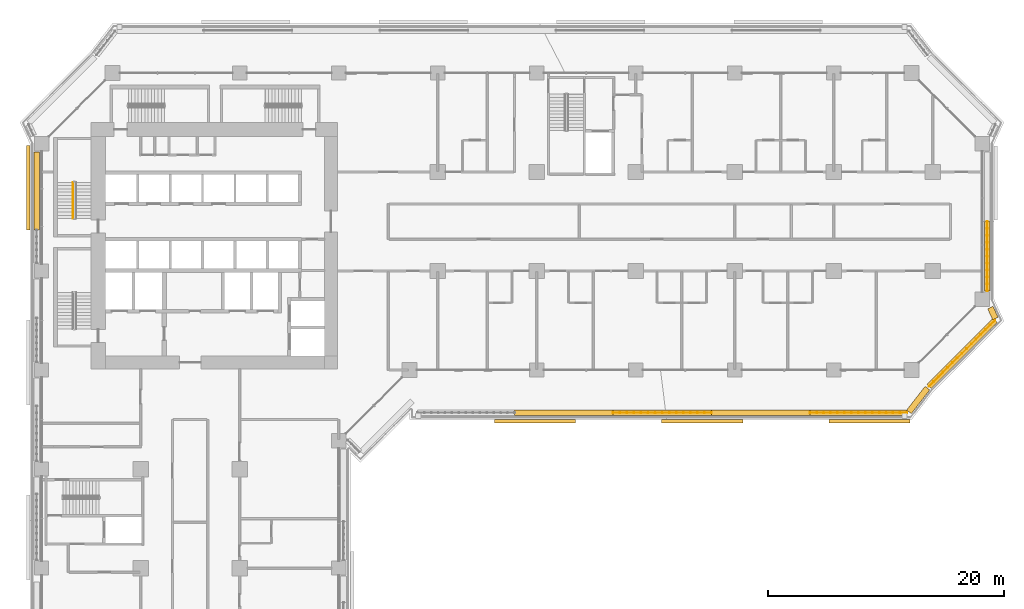
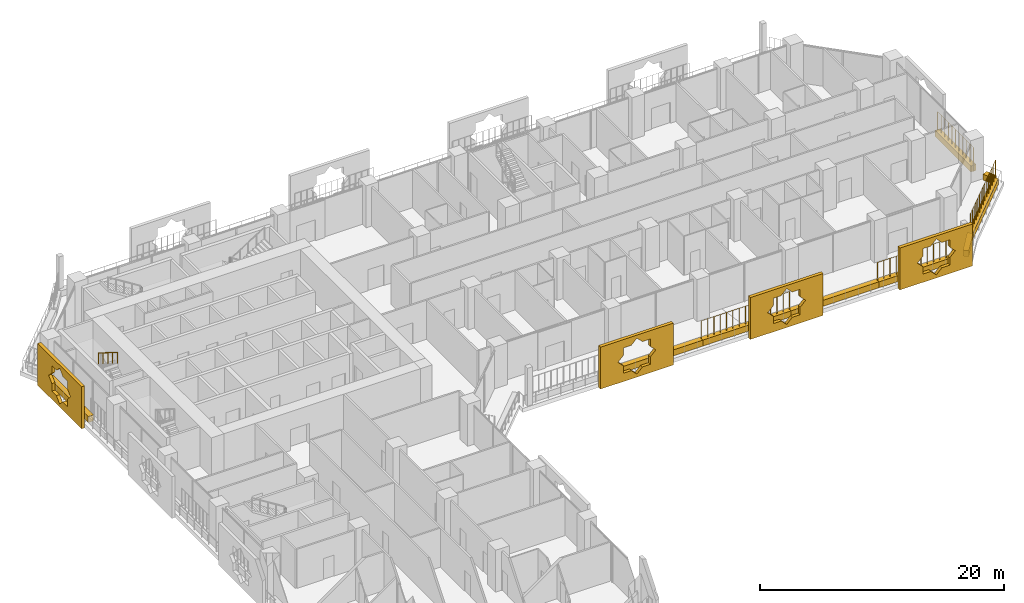
# One storey, part 25 of 28: 13 coverings, 5 railings.
"""IFC4 building model written with IfcOpenShell, lengths in metres."""

from ifc_helpers import new_model, si_unit, direction, frame, origin, origin_2d, place, context, subcontext, project, spatial, polyline, rectangle, circle, outline, extrude, material, material_profile, profile_set, type_object, element, save


model = new_model("IFC4")

# Units and contexts
model_context = context("Model", 3, precision=1e-05, world=origin(), true_north=direction((0.0, 1.0)))
body_context = subcontext(model_context, "Body", "Model", "MODEL_VIEW")
ifc_project = project(units=[si_unit("LENGTHUNIT", "METRE"), si_unit("AREAUNIT", "SQUARE_METRE"), si_unit("VOLUMEUNIT", "CUBIC_METRE"), si_unit("PLANEANGLEUNIT", "RADIAN"), si_unit("MASSUNIT", "GRAM", prefix="KILO")], contexts=[model_context])

# Site, building, storey
site_placement = place(None, origin())
site = spatial("IfcSite", under=ifc_project, at=site_placement, CompositionType="ELEMENT")
building_placement = place(site_placement, origin())
building = spatial("IfcBuilding", under=site, at=building_placement, Name="Kawkab Arch Medical Tower", CompositionType="ELEMENT")
storey_placement = place(building_placement, frame((0.0, 0.0, 56.0)))
storey = spatial("IfcBuildingStorey", under=building, at=storey_placement, Name="L12", CompositionType="ELEMENT", Elevation=56.0)

# Coverings
ifc_material_1 = material(Name="Bronze anodised aluminium mashrabiya panel, eight-point star pattern", Category="aluminium")
ifc_material_profile_1 = material_profile(ifc_material_1, outline(polyline([(-3.449951171875, -2.10009765625), (3.449951171875, -2.10009765625), (3.449951171875, 2.10009765625), (-3.449951171875, 2.10009765625), (-3.449951171875, -2.10009765625)]), holes=[polyline([(1.800048828125, 0.0), (1.272705078125, 0.527099609375), (1.272705078125, 1.272705078125), (0.527099609375, 1.272705078125), (0.0, 1.800048828125), (-0.527099609375, 1.272705078125), (-1.272705078125, 1.272705078125), (-1.272705078125, 0.527099609375), (-1.800048828125, 0.0), (-1.272705078125, -0.527099609375), (-1.272705078125, -1.272705078125), (-0.527099609375, -1.272705078125), (0.0, -1.800048828125), (0.527099609375, -1.272705078125), (1.272705078125, -1.272705078125), (1.272705078125, -0.527099609375), (1.800048828125, 0.0)])]), Name="Mashrabiya panel 6900x4200")
ifc_profile_set_1 = profile_set([ifc_material_profile_1], Name="Bronze anodised aluminium mashrabiya panel, eight-point star pattern")
covering_type_1 = type_object("IfcCoveringType", Name="Mashrabiya panel 6900 x 4200", PredefinedType="USERDEFINED", material=ifc_profile_set_1)
for number, where, z_axis, x_axis, name in (
    (1, (70.226318359375, -29.39990234375, 1.699951171875), (0.0, -1.0, 0.0), (1.0, 0.0, 0.0), "Mashrabiya panel L12.LOG-01-01.11"),
    (2, (56.05126953125, -29.39990234375, 1.699951171875), (0.0, -1.0, 0.0), (1.0, 0.0, 0.0), "Mashrabiya panel L12.LOG-01-01.12"),
    (3, (41.856201171875, -29.39990234375, 1.699951171875), (0.0, -1.0, 0.0), (1.0, 0.0, 0.0), "Mashrabiya panel L12.LOG-01-01.13"),
):
    element("IfcCovering", number, at=place(storey_placement, frame(where, z_axis=z_axis, x_axis=x_axis)), inside=storey, type_object=covering_type_1, Name=name, ObjectType="SCREEN", PredefinedType="USERDEFINED", context=body_context, shape_type="SweptSolid", body=[
        extrude(outline(polyline([(-3.449951171875, -2.10009765625), (3.449951171875, -2.10009765625), (3.449951171875, 2.10009765625), (-3.449951171875, 2.10009765625), (-3.449951171875, -2.10009765625)]), holes=[polyline([(1.800048828125, 0.0), (1.272705078125, 0.527099609375), (1.272705078125, 1.272705078125), (0.527099609375, 1.272705078125), (0.0, 1.800048828125), (-0.527099609375, 1.272705078125), (-1.272705078125, 1.272705078125), (-1.272705078125, 0.527099609375), (-1.800048828125, 0.0), (-1.272705078125, -0.527099609375), (-1.272705078125, -1.272705078125), (-0.527099609375, -1.272705078125), (0.0, -1.800048828125), (0.527099609375, -1.272705078125), (1.272705078125, -1.272705078125), (1.272705078125, -0.527099609375), (1.800048828125, 0.0)])]), origin(), (0.0, 0.0, 1.0), 0.300048828125),
    ])
ifc_material_2 = material(Name="Bronze anodised aluminium mashrabiya panel, eight-point star pattern", Category="aluminium")
ifc_material_profile_2 = material_profile(ifc_material_2, outline(polyline([(-3.60009765625, -2.10009765625), (3.60009765625, -2.10009765625), (3.60009765625, 2.10009765625), (-3.60009765625, 2.10009765625), (-3.60009765625, -2.10009765625)]), holes=[polyline([(1.800048828125, 0.0), (1.272705078125, 0.527099609375), (1.272705078125, 1.272705078125), (0.527099609375, 1.272705078125), (0.0, 1.800048828125), (-0.527099609375, 1.272705078125), (-1.272705078125, 1.272705078125), (-1.272705078125, 0.527099609375), (-1.800048828125, 0.0), (-1.272705078125, -0.527099609375), (-1.272705078125, -1.272705078125), (-0.527099609375, -1.272705078125), (0.0, -1.800048828125), (0.527099609375, -1.272705078125), (1.272705078125, -1.272705078125), (1.272705078125, -0.527099609375), (1.800048828125, 0.0)])]), Name="Mashrabiya panel 7200x4200")
ifc_profile_set_2 = profile_set([ifc_material_profile_2], Name="Bronze anodised aluminium mashrabiya panel, eight-point star pattern")
covering_type_2 = type_object("IfcCoveringType", Name="Mashrabiya panel 7200 x 4200", PredefinedType="USERDEFINED", material=ifc_profile_set_2)
covering_1_placement = place(storey_placement, frame((-1.0, -9.730712890625, 1.699951171875), z_axis=(-1.0, 0.0, 0.0), x_axis=(0.0, -1.0, 0.0)))
element("IfcCovering", 4, at=covering_1_placement, inside=storey, type_object=covering_type_2, Name="Mashrabiya panel L12.LOG-01-01.5", ObjectType="SCREEN", PredefinedType="USERDEFINED", context=body_context, shape_type="SweptSolid", body=[
    extrude(outline(polyline([(-3.60009765625, -2.10009765625), (3.60009765625, -2.10009765625), (3.60009765625, 2.10009765625), (-3.60009765625, 2.10009765625), (-3.60009765625, -2.10009765625)]), holes=[polyline([(1.800048828125, 0.0), (1.272705078125, 0.527099609375), (1.272705078125, 1.272705078125), (0.527099609375, 1.272705078125), (0.0, 1.800048828125), (-0.527099609375, 1.272705078125), (-1.272705078125, 1.272705078125), (-1.272705078125, 0.527099609375), (-1.800048828125, 0.0), (-1.272705078125, -0.527099609375), (-1.272705078125, -1.272705078125), (-0.527099609375, -1.272705078125), (0.0, -1.800048828125), (0.527099609375, -1.272705078125), (1.272705078125, -1.272705078125), (1.272705078125, -0.527099609375), (1.800048828125, 0.0)])]), origin(), (0.0, 0.0, 1.0), 0.300048828125),
])
ifc_material_3 = material(Name="Planting soil in a precast trough", Category="concrete")
ifc_material_profile_3 = material_profile(ifc_material_3, rectangle(XDim=0.5, YDim=0.60009765625, at=origin_2d()), Name="Trough 500x600")
ifc_profile_set_3 = profile_set([ifc_material_profile_3], Name="Planting soil in a precast trough")
covering_type_3 = type_object("IfcCoveringType", Name="Planter trough 500 x 600", PredefinedType="USERDEFINED", material=ifc_profile_set_3)
covering_2_placement = place(storey_placement, frame((-0.419921875, -13.3310546875, 0.300048828125), z_axis=(0.0, 1.0, 0.0), x_axis=(-1.0, 0.0, 0.0)))
element("IfcCovering", 5, at=covering_2_placement, inside=storey, type_object=covering_type_3, Name="Planter L12.LOG-01-01.16", ObjectType="PLANTER", PredefinedType="USERDEFINED", context=body_context, shape_type="SweptSolid", body=[
    extrude(rectangle(XDim=0.5, YDim=0.60009765625, at=origin_2d()), origin(), (0.0, 0.0, 1.0), 6.6259765625),
])
covering_3_placement = place(storey_placement, frame((80.219970703125, -12.60009765625, 0.300048828125), z_axis=(0.0, -1.0, 0.0), x_axis=(1.0, 0.0, 0.0)))
element("IfcCovering", 6, at=covering_3_placement, inside=storey, type_object=covering_type_3, Name="Planter L12.LOG-01-01.33", ObjectType="PLANTER", PredefinedType="USERDEFINED", context=body_context, shape_type="SweptSolid", body=[
    extrude(rectangle(XDim=0.5, YDim=0.60009765625, at=origin_2d()), origin(), (0.0, 0.0, 1.0), 5.89501953125),
])
covering_4_placement = place(storey_placement, frame((80.48095703125, -19.89794921875, 0.300048828125), z_axis=(0.415071571878, -0.909788761317, 0.0), x_axis=(0.909788761317, 0.415071571878, 0.0)))
element("IfcCovering", 7, at=covering_4_placement, inside=storey, type_object=covering_type_3, Name="Planter L12.LOG-01-01.34", ObjectType="PLANTER", PredefinedType="USERDEFINED", context=body_context, shape_type="SweptSolid", body=[
    extrude(rectangle(XDim=0.5, YDim=0.60009765625, at=origin_2d()), origin(), (0.0, 0.0, 1.0), 1.0146484375),
])
covering_5_placement = place(storey_placement, frame((80.873046875, -20.98291015625, 0.300048828125), z_axis=(-0.707106781187, -0.707106781187, 0.0), x_axis=(0.707106781187, -0.707106781187, 0.0)))
element("IfcCovering", 8, at=covering_5_placement, inside=storey, type_object=covering_type_3, Name="Planter L12.LOG-01-01.35", ObjectType="PLANTER", PredefinedType="USERDEFINED", context=body_context, shape_type="SweptSolid", body=[
    extrude(rectangle(XDim=0.5, YDim=0.60009765625, at=origin_2d()), origin(), (0.0, 0.0, 1.0), 7.919677734375),
])
covering_6_placement = place(storey_placement, frame((75.14111328125, -26.73193359375, 0.300048828125), z_axis=(-0.614099956103, -0.789228258436, 0.0), x_axis=(0.789228258436, -0.614099956103, 0.0)))
element("IfcCovering", 9, at=covering_6_placement, inside=storey, type_object=covering_type_3, Name="Planter L12.LOG-01-01.36", ObjectType="PLANTER", PredefinedType="USERDEFINED", context=body_context, shape_type="SweptSolid", body=[
    extrude(rectangle(XDim=0.5, YDim=0.60009765625, at=origin_2d()), origin(), (0.0, 0.0, 1.0), 2.545654296875),
])
covering_7_placement = place(storey_placement, frame((73.416015625, -28.820068359375, 0.300048828125), z_axis=(-1.0, 0.0, 0.0), x_axis=(0.0, -1.0, 0.0)))
element("IfcCovering", 10, at=covering_7_placement, inside=storey, type_object=covering_type_3, Name="Planter L12.LOG-01-01.37", ObjectType="PLANTER", PredefinedType="USERDEFINED", context=body_context, shape_type="SweptSolid", body=[
    extrude(rectangle(XDim=0.5, YDim=0.60009765625, at=origin_2d()), origin(), (0.0, 0.0, 1.0), 8.2470703125),
])
for number, where, z_axis, x_axis, name in (
    (11, (65.1689453125, -28.820068359375, 0.300048828125), (-1.0, 0.0, 0.0), (0.0, -1.0, 0.0), "Planter L12.LOG-01-01.38"),
    (12, (56.822021484375, -28.820068359375, 0.300048828125), (-1.0, 0.0, 0.0), (0.0, -1.0, 0.0), "Planter L12.LOG-01-01.39"),
):
    element("IfcCovering", number, at=place(storey_placement, frame(where, z_axis=z_axis, x_axis=x_axis)), inside=storey, type_object=covering_type_3, Name=name, ObjectType="PLANTER", PredefinedType="USERDEFINED", context=body_context, shape_type="SweptSolid", body=[
        extrude(rectangle(XDim=0.5, YDim=0.60009765625, at=origin_2d()), origin(), (0.0, 0.0, 1.0), 8.346923828125),
    ])
covering_8_placement = place(storey_placement, frame((48.47509765625, -28.820068359375, 0.300048828125), z_axis=(-1.0, 0.0, 0.0), x_axis=(0.0, -1.0, 0.0)))
element("IfcCovering", 13, at=covering_8_placement, inside=storey, type_object=covering_type_3, Name="Planter L12.LOG-01-01.40", ObjectType="PLANTER", PredefinedType="USERDEFINED", context=body_context, shape_type="SweptSolid", body=[
    extrude(rectangle(XDim=0.5, YDim=0.60009765625, at=origin_2d()), origin(), (0.0, 0.0, 1.0), 8.34814453125),
])

# Railings
ifc_material_4 = material(Name="Bronze anodised aluminium trellis for climbing plants", Category="aluminium")
railing_type_1 = type_object("IfcRailingType", Name="Planting trellis 2400", PredefinedType="USERDEFINED", material=ifc_material_4)
railing_1_placement = place(storey_placement, frame((80.219970703125, -12.60009765625, 0.0)))
element("IfcRailing", 14, at=railing_1_placement, inside=storey, type_object=railing_type_1, Name="Planting trellis L12.LOG-01-01.33", ObjectType="TRELLIS", PredefinedType="USERDEFINED", context=body_context, shape_type="SweptSolid", body=[
    extrude(circle(Radius=0.01513671875, at=origin_2d()), frame((0.0, 0.0, 2.384765625), z_axis=(0.0, -1.0, 0.0), x_axis=(1.0, 0.0, 0.0)), (0.0, 0.0, 1.0), 5.89501953125),
    extrude(circle(Radius=0.030029296875, at=origin_2d()), origin(), (0.0, 0.0, 1.0), 2.369873046875),
    extrude(circle(Radius=0.030029296875, at=origin_2d()), frame((0.0, -0.589599609375, 0.0)), (0.0, 0.0, 1.0), 2.369873046875),
    extrude(circle(Radius=0.030029296875, at=origin_2d()), frame((0.0, -1.178955078125, 0.0)), (0.0, 0.0, 1.0), 2.369873046875),
    extrude(circle(Radius=0.030029296875, at=origin_2d()), frame((0.0, -1.7685546875, 0.0)), (0.0, 0.0, 1.0), 2.369873046875),
    extrude(circle(Radius=0.030029296875, at=origin_2d()), frame((0.0, -2.35791015625, 0.0)), (0.0, 0.0, 1.0), 2.369873046875),
    extrude(circle(Radius=0.030029296875, at=origin_2d()), frame((0.0, -2.947509765625, 0.0)), (0.0, 0.0, 1.0), 2.369873046875),
    extrude(circle(Radius=0.030029296875, at=origin_2d()), frame((0.0, -3.537109375, 0.0)), (0.0, 0.0, 1.0), 2.369873046875),
    extrude(circle(Radius=0.030029296875, at=origin_2d()), frame((0.0, -4.12646484375, 0.0)), (0.0, 0.0, 1.0), 2.369873046875),
    extrude(circle(Radius=0.030029296875, at=origin_2d()), frame((0.0, -4.716064453125, 0.0)), (0.0, 0.0, 1.0), 2.369873046875),
    extrude(circle(Radius=0.030029296875, at=origin_2d()), frame((0.0, -5.305419921875, 0.0)), (0.0, 0.0, 1.0), 2.369873046875),
    extrude(circle(Radius=0.030029296875, at=origin_2d()), frame((0.0, -5.89501953125, 0.0)), (0.0, 0.0, 1.0), 2.369873046875),
])
railing_2_placement = place(storey_placement, frame((80.873046875, -20.98291015625, 0.0)))
element("IfcRailing", 15, at=railing_2_placement, inside=storey, type_object=railing_type_1, Name="Planting trellis L12.LOG-01-01.35", ObjectType="TRELLIS", PredefinedType="USERDEFINED", context=body_context, shape_type="SweptSolid", body=[
    extrude(circle(Radius=0.01513671875, at=origin_2d()), frame((0.0, 0.0, 2.384765625), z_axis=(-0.707106781187, -0.707106781187, 0.0), x_axis=(0.707106781187, -0.707106781187, 0.0)), (0.0, 0.0, 1.0), 7.919677734375),
    extrude(circle(Radius=0.030029296875, at=origin_2d()), origin(), (0.0, 0.0, 1.0), 2.369873046875),
    extrude(circle(Radius=0.030029296875, at=origin_2d()), frame((-0.39990234375, -0.39990234375, 0.0)), (0.0, 0.0, 1.0), 2.369873046875),
    extrude(circle(Radius=0.030029296875, at=origin_2d()), frame((-0.800048828125, -0.800048828125, 0.0)), (0.0, 0.0, 1.0), 2.369873046875),
    extrude(circle(Radius=0.030029296875, at=origin_2d()), frame((-1.199951171875, -1.199951171875, 0.0)), (0.0, 0.0, 1.0), 2.369873046875),
    extrude(circle(Radius=0.030029296875, at=origin_2d()), frame((-1.60009765625, -1.60009765625, 0.0)), (0.0, 0.0, 1.0), 2.369873046875),
    extrude(circle(Radius=0.030029296875, at=origin_2d()), frame((-2.0, -2.0, 0.0)), (0.0, 0.0, 1.0), 2.369873046875),
    extrude(circle(Radius=0.030029296875, at=origin_2d()), frame((-2.400146484375, -2.400146484375, 0.0)), (0.0, 0.0, 1.0), 2.369873046875),
    extrude(circle(Radius=0.030029296875, at=origin_2d()), frame((-2.800048828125, -2.800048828125, 0.0)), (0.0, 0.0, 1.0), 2.369873046875),
    extrude(circle(Radius=0.030029296875, at=origin_2d()), frame((-3.199951171875, -3.199951171875, 0.0)), (0.0, 0.0, 1.0), 2.369873046875),
    extrude(circle(Radius=0.030029296875, at=origin_2d()), frame((-3.60009765625, -3.60009765625, 0.0)), (0.0, 0.0, 1.0), 2.369873046875),
    extrude(circle(Radius=0.030029296875, at=origin_2d()), frame((-4.0, -4.0, 0.0)), (0.0, 0.0, 1.0), 2.369873046875),
    extrude(circle(Radius=0.030029296875, at=origin_2d()), frame((-4.400146484375, -4.400146484375, 0.0)), (0.0, 0.0, 1.0), 2.369873046875),
    extrude(circle(Radius=0.030029296875, at=origin_2d()), frame((-4.800048828125, -4.800048828125, 0.0)), (0.0, 0.0, 1.0), 2.369873046875),
    extrude(circle(Radius=0.030029296875, at=origin_2d()), frame((-5.2001953125, -5.2001953125, 0.0)), (0.0, 0.0, 1.0), 2.369873046875),
    extrude(circle(Radius=0.030029296875, at=origin_2d()), frame((-5.60009765625, -5.60009765625, 0.0)), (0.0, 0.0, 1.0), 2.369873046875),
])
railing_3_placement = place(storey_placement, frame((73.416015625, -28.820068359375, 0.0)))
element("IfcRailing", 16, at=railing_3_placement, inside=storey, type_object=railing_type_1, Name="Planting trellis L12.LOG-01-01.37", ObjectType="TRELLIS", PredefinedType="USERDEFINED", context=body_context, shape_type="SweptSolid", body=[
    extrude(circle(Radius=0.01513671875, at=origin_2d()), frame((0.0, 0.0, 2.384765625), z_axis=(-1.0, 0.0, 0.0), x_axis=(0.0, -1.0, 0.0)), (0.0, 0.0, 1.0), 8.2470703125),
    extrude(circle(Radius=0.030029296875, at=origin_2d()), origin(), (0.0, 0.0, 1.0), 2.369873046875),
    extrude(circle(Radius=0.030029296875, at=origin_2d()), frame((-0.589111328125, 0.0, 0.0)), (0.0, 0.0, 1.0), 2.369873046875),
    extrude(circle(Radius=0.030029296875, at=origin_2d()), frame((-1.17822265625, 0.0, 0.0)), (0.0, 0.0, 1.0), 2.369873046875),
    extrude(circle(Radius=0.030029296875, at=origin_2d()), frame((-1.767333984375, 0.0, 0.0)), (0.0, 0.0, 1.0), 2.369873046875),
    extrude(circle(Radius=0.030029296875, at=origin_2d()), frame((-2.356201171875, 0.0, 0.0)), (0.0, 0.0, 1.0), 2.369873046875),
    extrude(circle(Radius=0.030029296875, at=origin_2d()), frame((-2.9453125, 0.0, 0.0)), (0.0, 0.0, 1.0), 2.369873046875),
    extrude(circle(Radius=0.030029296875, at=origin_2d()), frame((-3.534423828125, 0.0, 0.0)), (0.0, 0.0, 1.0), 2.369873046875),
    extrude(circle(Radius=0.030029296875, at=origin_2d()), frame((-4.12353515625, 0.0, 0.0)), (0.0, 0.0, 1.0), 2.369873046875),
    extrude(circle(Radius=0.030029296875, at=origin_2d()), frame((-4.712646484375, 0.0, 0.0)), (0.0, 0.0, 1.0), 2.369873046875),
    extrude(circle(Radius=0.030029296875, at=origin_2d()), frame((-5.3017578125, 0.0, 0.0)), (0.0, 0.0, 1.0), 2.369873046875),
    extrude(circle(Radius=0.030029296875, at=origin_2d()), frame((-5.890869140625, 0.0, 0.0)), (0.0, 0.0, 1.0), 2.369873046875),
    extrude(circle(Radius=0.030029296875, at=origin_2d()), frame((-6.479736328125, 0.0, 0.0)), (0.0, 0.0, 1.0), 2.369873046875),
    extrude(circle(Radius=0.030029296875, at=origin_2d()), frame((-7.06884765625, 0.0, 0.0)), (0.0, 0.0, 1.0), 2.369873046875),
    extrude(circle(Radius=0.030029296875, at=origin_2d()), frame((-7.657958984375, 0.0, 0.0)), (0.0, 0.0, 1.0), 2.369873046875),
    extrude(circle(Radius=0.030029296875, at=origin_2d()), frame((-8.2470703125, 0.0, 0.0)), (0.0, 0.0, 1.0), 2.369873046875),
])
railing_4_placement = place(storey_placement, frame((56.822021484375, -28.820068359375, 0.0)))
element("IfcRailing", 17, at=railing_4_placement, inside=storey, type_object=railing_type_1, Name="Planting trellis L12.LOG-01-01.39", ObjectType="TRELLIS", PredefinedType="USERDEFINED", context=body_context, shape_type="SweptSolid", body=[
    extrude(circle(Radius=0.01513671875, at=origin_2d()), frame((0.0, 0.0, 2.384765625), z_axis=(-1.0, 0.0, 0.0), x_axis=(0.0, -1.0, 0.0)), (0.0, 0.0, 1.0), 8.346923828125),
    extrude(circle(Radius=0.030029296875, at=origin_2d()), origin(), (0.0, 0.0, 1.0), 2.369873046875),
    extrude(circle(Radius=0.030029296875, at=origin_2d()), frame((-0.59619140625, 0.0, 0.0)), (0.0, 0.0, 1.0), 2.369873046875),
    extrude(circle(Radius=0.030029296875, at=origin_2d()), frame((-1.1923828125, 0.0, 0.0)), (0.0, 0.0, 1.0), 2.369873046875),
    extrude(circle(Radius=0.030029296875, at=origin_2d()), frame((-1.78857421875, 0.0, 0.0)), (0.0, 0.0, 1.0), 2.369873046875),
    extrude(circle(Radius=0.030029296875, at=origin_2d()), frame((-2.384765625, 0.0, 0.0)), (0.0, 0.0, 1.0), 2.369873046875),
    extrude(circle(Radius=0.030029296875, at=origin_2d()), frame((-2.98095703125, 0.0, 0.0)), (0.0, 0.0, 1.0), 2.369873046875),
    extrude(circle(Radius=0.030029296875, at=origin_2d()), frame((-3.5771484375, 0.0, 0.0)), (0.0, 0.0, 1.0), 2.369873046875),
    extrude(circle(Radius=0.030029296875, at=origin_2d()), frame((-4.17333984375, 0.0, 0.0)), (0.0, 0.0, 1.0), 2.369873046875),
    extrude(circle(Radius=0.030029296875, at=origin_2d()), frame((-4.769775390625, 0.0, 0.0)), (0.0, 0.0, 1.0), 2.369873046875),
    extrude(circle(Radius=0.030029296875, at=origin_2d()), frame((-5.365966796875, 0.0, 0.0)), (0.0, 0.0, 1.0), 2.369873046875),
    extrude(circle(Radius=0.030029296875, at=origin_2d()), frame((-5.962158203125, 0.0, 0.0)), (0.0, 0.0, 1.0), 2.369873046875),
    extrude(circle(Radius=0.030029296875, at=origin_2d()), frame((-6.558349609375, 0.0, 0.0)), (0.0, 0.0, 1.0), 2.369873046875),
    extrude(circle(Radius=0.030029296875, at=origin_2d()), frame((-7.154541015625, 0.0, 0.0)), (0.0, 0.0, 1.0), 2.369873046875),
    extrude(circle(Radius=0.030029296875, at=origin_2d()), frame((-7.750732421875, 0.0, 0.0)), (0.0, 0.0, 1.0), 2.369873046875),
    extrude(circle(Radius=0.030029296875, at=origin_2d()), frame((-8.346923828125, 0.0, 0.0)), (0.0, 0.0, 1.0), 2.369873046875),
])
ifc_material_5 = material(Name="Stainless steel", Category="steel")
railing_type_2 = type_object("IfcRailingType", Name="Stair guard 1100", PredefinedType="GUARDRAIL", material=ifc_material_5)
railing_5_placement = place(storey_placement, frame((2.64990234375, -9.27001953125, 2.27490234375)))
element("IfcRailing", 18, at=railing_5_placement, inside=storey, type_object=railing_type_2, Name="L12 ST1 stair guard 3", PredefinedType="GUARDRAIL", context=body_context, shape_type="SweptSolid", body=[
    extrude(circle(Radius=0.02392578125, at=origin_2d()), frame((0.0, 0.0, 1.076171875), z_axis=(0.0, -0.847998304005, 0.529998940003), x_axis=(1.0, 0.0, 0.0)), (0.0, 0.0, 1.0), 3.632080078125),
    extrude(circle(Radius=0.02099609375, at=origin_2d()), origin(), (0.0, 0.0, 1.0), 1.052001953125),
    extrude(circle(Radius=0.02099609375, at=origin_2d()), frame((0.0, -0.77001953125, 0.481201171875)), (0.0, 0.0, 1.0), 1.052001953125),
    extrude(circle(Radius=0.02099609375, at=origin_2d()), frame((0.0, -1.5400390625, 0.96240234375)), (0.0, 0.0, 1.0), 1.052001953125),
    extrude(circle(Radius=0.02099609375, at=origin_2d()), frame((0.0, -2.31005859375, 1.44384765625)), (0.0, 0.0, 1.0), 1.052001953125),
    extrude(circle(Radius=0.02099609375, at=origin_2d()), frame((0.0, -3.080078125, 1.925048828125)), (0.0, 0.0, 1.0), 1.052001953125),
])

save(model, "model.ifc")
